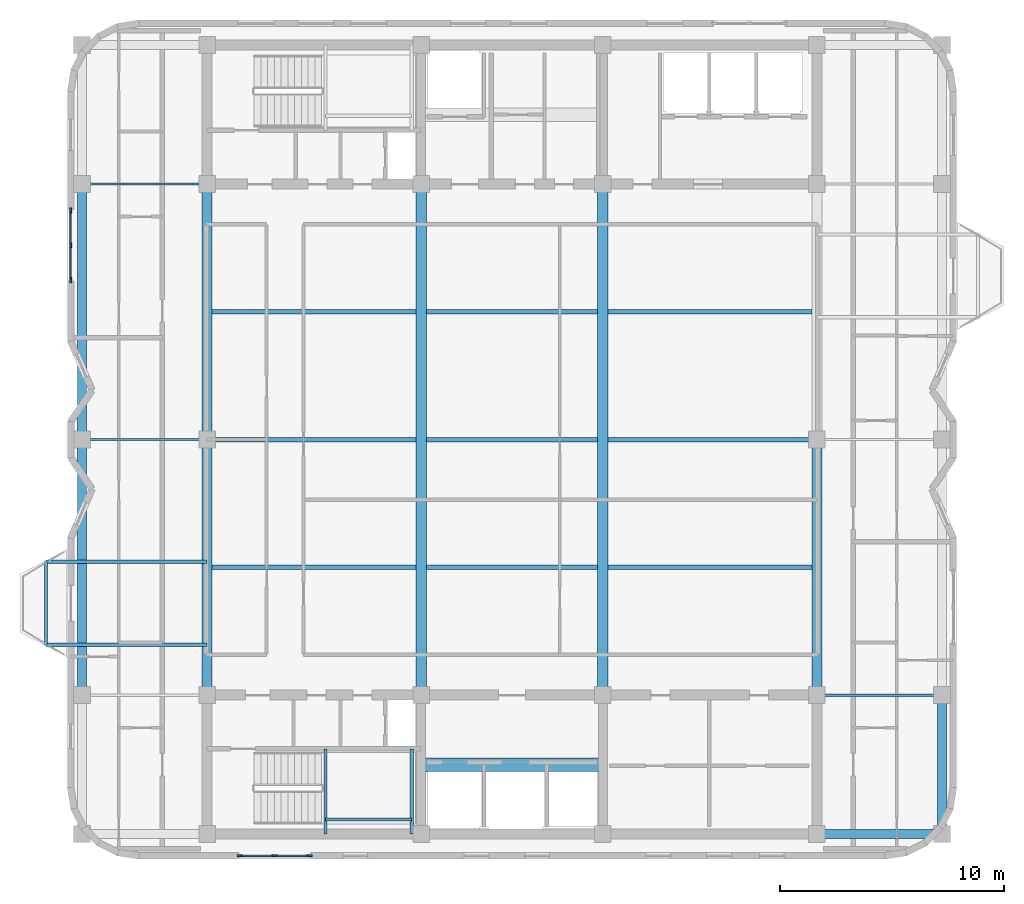
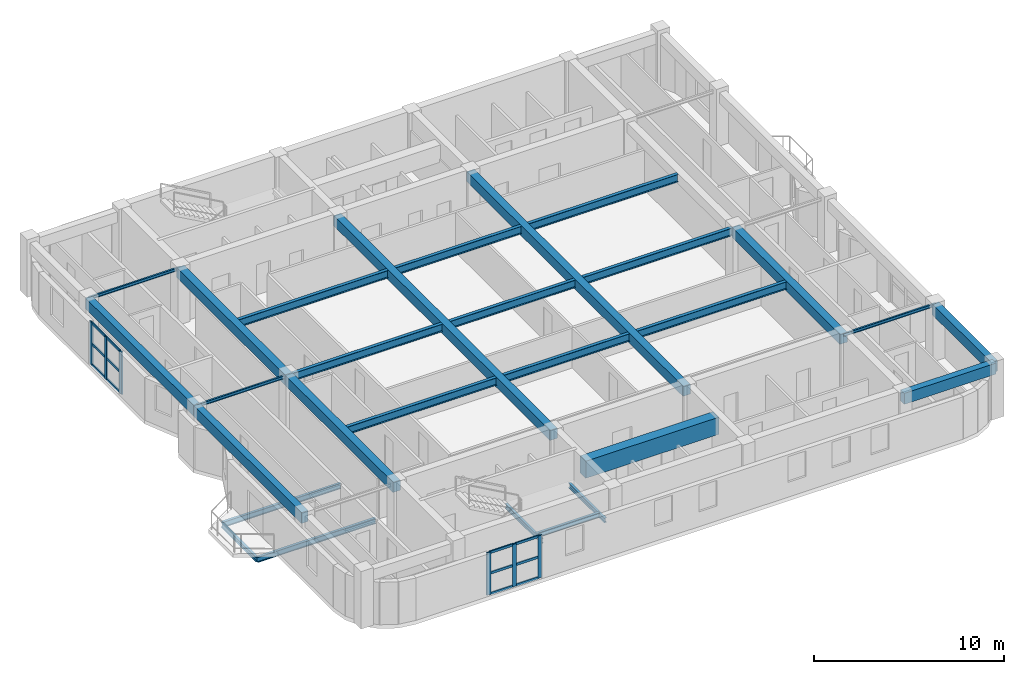
# One storey, part 2 of 11: 28 beams, 18 members, 2 elements without a shape of their own.
"""IFC4 building model written with IfcOpenShell, lengths in metres."""

from ifc_helpers import new_model, si_unit, direction, frame, origin, origin_2d, place, context, subcontext, project, spatial, rectangle, i_section, extrude, material, material_profile, profile_set, type_object, element, aggregate, save


model = new_model("IFC4")

# Units and contexts
model_context = context("Model", 3, precision=1e-05, world=origin(), true_north=direction((0.0, 1.0)))
body_context = subcontext(model_context, "Body", "Model", "MODEL_VIEW")
ifc_project = project(units=[si_unit("LENGTHUNIT", "METRE"), si_unit("AREAUNIT", "SQUARE_METRE"), si_unit("VOLUMEUNIT", "CUBIC_METRE"), si_unit("PLANEANGLEUNIT", "RADIAN"), si_unit("MASSUNIT", "GRAM", prefix="KILO")], contexts=[model_context])

# Site, building, storey
site_placement = place(None, origin())
site = spatial("IfcSite", under=ifc_project, at=site_placement, CompositionType="ELEMENT")
building_placement = place(site_placement, origin())
building = spatial("IfcBuilding", under=site, at=building_placement, Name="Svetorya Sky Lyceum", CompositionType="ELEMENT")
storey_placement = place(building_placement, frame((0.0, 0.0, 289.800048828125)))
storey = spatial("IfcBuildingStorey", under=building, at=storey_placement, Name="L73", CompositionType="ELEMENT", Elevation=289.800048828125)

# Beams
ifc_material_1 = material(Name="Concrete C60/75", Category="concrete")
ifc_material_profile_1 = material_profile(ifc_material_1, rectangle(XDim=0.60009765625, YDim=1.10009765625, at=origin_2d()), Name="RC COUPLING 600x1100")
ifc_profile_set_1 = profile_set([ifc_material_profile_1], Name="Concrete C60/75")
beam_type_1 = type_object("IfcBeamType", Name="BM-CPL-1100", PredefinedType="LINTEL", material=ifc_profile_set_1)
beam_1_placement = place(storey_placement, frame((35.14990234375, 13.699951171875, 2.89990234375), z_axis=(1.0, 0.0, 0.0), x_axis=(0.0, 1.0, 0.0)))
element("IfcBeam", 1, at=beam_1_placement, inside=storey, type_object=beam_type_1, Name="L73 SC Core Coupling Beam", PredefinedType="LINTEL", context=body_context, shape_type="SweptSolid", body=[
    extrude(rectangle(XDim=0.60009765625, YDim=1.10009765625, at=origin_2d()), origin(), (0.0, 0.0, 1.0), 8.10009765625),
])
ifc_material_2 = material(Name="Concrete C40/50", Category="concrete")
ifc_material_profile_2 = material_profile(ifc_material_2, rectangle(XDim=0.449951171875, YDim=0.64990234375, at=origin_2d()), Name="RC BEAM 450x650")
ifc_profile_set_2 = profile_set([ifc_material_profile_2], Name="Concrete C40/50")
beam_type_2 = type_object("IfcBeamType", Name="BM-RC-650", PredefinedType="BEAM", material=ifc_profile_set_2)
beam_2_placement = place(storey_placement, frame((25.60009765625, 16.800048828125, 3.125), z_axis=(0.0, 1.0, 0.0), x_axis=(-1.0, 0.0, 0.0)))
element("IfcBeam", 2, at=beam_2_placement, inside=storey, type_object=beam_type_2, Name="L73 Central Bay Primary Girder CG-1A", PredefinedType="BEAM", context=body_context, shape_type="SweptSolid", body=[
    extrude(rectangle(XDim=0.449951171875, YDim=0.64990234375, at=origin_2d()), origin(), (0.0, 0.0, 1.0), 11.39990234375),
])
beam_3_placement = place(storey_placement, frame((25.60009765625, 28.199951171875, 3.125), z_axis=(0.0, 1.0, 0.0), x_axis=(-1.0, 0.0, 0.0)))
element("IfcBeam", 3, at=beam_3_placement, inside=storey, type_object=beam_type_2, Name="L73 Central Bay Primary Girder CG-1B", PredefinedType="BEAM", context=body_context, shape_type="SweptSolid", body=[
    extrude(rectangle(XDim=0.449951171875, YDim=0.64990234375, at=origin_2d()), origin(), (0.0, 0.0, 1.0), 11.400146484375),
])
for number, where, z_axis, x_axis, name in (
    (4, (35.14990234375, 16.800048828125, 3.125), (0.0, 1.0, 0.0), (-1.0, 0.0, 0.0), "L73 Central Bay Primary Girder CG-2"),
    (5, (43.25, 16.800048828125, 3.125), (0.0, 1.0, 0.0), (-1.0, 0.0, 0.0), "L73 Central Bay Primary Girder CG-3"),
):
    element("IfcBeam", number, at=place(storey_placement, frame(where, z_axis=z_axis, x_axis=x_axis)), inside=storey, type_object=beam_type_2, Name=name, PredefinedType="BEAM", context=body_context, shape_type="SweptSolid", body=[
        extrude(rectangle(XDim=0.449951171875, YDim=0.64990234375, at=origin_2d()), origin(), (0.0, 0.0, 1.0), 22.800048828125),
    ])
beam_4_placement = place(storey_placement, frame((52.800048828125, 16.800048828125, 3.125), z_axis=(0.0, 1.0, 0.0), x_axis=(-1.0, 0.0, 0.0)))
element("IfcBeam", 6, at=beam_4_placement, inside=storey, type_object=beam_type_2, Name="L73 Central Bay Primary Girder CG-4A", PredefinedType="BEAM", context=body_context, shape_type="SweptSolid", body=[
    extrude(rectangle(XDim=0.449951171875, YDim=0.64990234375, at=origin_2d()), origin(), (0.0, 0.0, 1.0), 11.39990234375),
])
ifc_material_3 = material(Name="Concrete C50/60", Category="concrete")
ifc_material_profile_3 = material_profile(ifc_material_3, rectangle(XDim=0.39990234375, YDim=0.699951171875, at=origin_2d()), Name="RC SPANDREL 400x700")
ifc_profile_set_3 = profile_set([ifc_material_profile_3], Name="Concrete C50/60")
beam_type_3 = type_object("IfcBeamType", Name="BM-SPN-700", PredefinedType="SPANDREL", material=ifc_profile_set_3)
beam_5_placement = place(storey_placement, frame((52.800048828125, 10.60009765625, 3.099853515625), z_axis=(1.0, 0.0, 0.0), x_axis=(0.0, 1.0, 0.0)))
element("IfcBeam", 7, at=beam_5_placement, inside=storey, type_object=beam_type_3, Name="L73 Tie Spandrel SE", PredefinedType="SPANDREL", context=body_context, shape_type="SweptSolid", body=[
    extrude(rectangle(XDim=0.39990234375, YDim=0.699951171875, at=origin_2d()), origin(), (0.0, 0.0, 1.0), 5.58984375),
])
beam_6_placement = place(storey_placement, frame((20.010009765625, 16.800048828125, 3.099853515625), z_axis=(0.0, 1.0, 0.0), x_axis=(-1.0, 0.0, 0.0)))
element("IfcBeam", 8, at=beam_6_placement, inside=storey, type_object=beam_type_3, Name="L73 West Spandrel 2", PredefinedType="SPANDREL", context=body_context, shape_type="SweptSolid", body=[
    extrude(rectangle(XDim=0.39990234375, YDim=0.699951171875, at=origin_2d()), origin(), (0.0, 0.0, 1.0), 11.39990234375),
])
beam_7_placement = place(storey_placement, frame((20.010009765625, 28.199951171875, 3.099853515625), z_axis=(0.0, 1.0, 0.0), x_axis=(-1.0, 0.0, 0.0)))
element("IfcBeam", 9, at=beam_7_placement, inside=storey, type_object=beam_type_3, Name="L73 West Spandrel 3", PredefinedType="SPANDREL", context=body_context, shape_type="SweptSolid", body=[
    extrude(rectangle(XDim=0.39990234375, YDim=0.699951171875, at=origin_2d()), origin(), (0.0, 0.0, 1.0), 11.400146484375),
])
beam_8_placement = place(storey_placement, frame((58.389892578125, 10.60009765625, 3.099853515625), z_axis=(0.0, 1.0, 0.0), x_axis=(-1.0, 0.0, 0.0)))
element("IfcBeam", 10, at=beam_8_placement, inside=storey, type_object=beam_type_3, Name="L73 East Spandrel 1", PredefinedType="SPANDREL", context=body_context, shape_type="SweptSolid", body=[
    extrude(rectangle(XDim=0.39990234375, YDim=0.699951171875, at=origin_2d()), origin(), (0.0, 0.0, 1.0), 6.199951171875),
])
ifc_material_4 = material(Name="Steel S355", Category="steel")
ifc_material_profile_4 = material_profile(ifc_material_4, i_section(OverallWidth=0.10009765625, OverallDepth=0.199951171875, WebThickness=0.005615234375, FlangeThickness=0.008544921875, at=origin_2d()), Name="GOST 20B1")
ifc_profile_set_4 = profile_set([ifc_material_profile_4], Name="Steel S355")
beam_type_4 = type_object("IfcBeamType", Name="BM-STL-20B1", PredefinedType="JOIST", material=ifc_profile_set_4)
beam_9_placement = place(storey_placement, frame((52.800048828125, 16.800048828125, 3.349853515625), z_axis=(1.0, 0.0, 0.0), x_axis=(0.0, 1.0, 0.0)))
element("IfcBeam", 11, at=beam_9_placement, inside=storey, type_object=beam_type_4, Name="L73 East Wing Floor Joist E2", PredefinedType="JOIST", context=body_context, shape_type="SweptSolid", body=[
    extrude(i_section(OverallWidth=0.10009765625, OverallDepth=0.199951171875, WebThickness=0.005615234375, FlangeThickness=0.008544921875, at=origin_2d()), origin(), (0.0, 0.0, 1.0), 5.58984375),
])
for number, where, z_axis, x_axis, name in (
    (12, (20.010009765625, 28.199951171875, 3.349853515625), (1.0, 0.0, 0.0), (0.0, 1.0, 0.0), "L73 West Wing Floor Joist W3"),
    (13, (20.010009765625, 39.60009765625, 3.349853515625), (1.0, 0.0, 0.0), (0.0, 1.0, 0.0), "L73 West Wing Floor Joist W4"),
):
    element("IfcBeam", number, at=place(storey_placement, frame(where, z_axis=z_axis, x_axis=x_axis)), inside=storey, type_object=beam_type_4, Name=name, PredefinedType="JOIST", context=body_context, shape_type="SweptSolid", body=[
        extrude(i_section(OverallWidth=0.10009765625, OverallDepth=0.199951171875, WebThickness=0.005615234375, FlangeThickness=0.008544921875, at=origin_2d()), origin(), (0.0, 0.0, 1.0), 5.590087890625),
    ])
ifc_material_profile_5 = material_profile(ifc_material_4, i_section(OverallWidth=0.14990234375, OverallDepth=0.299072265625, WebThickness=0.006591796875, FlangeThickness=0.010498046875, at=origin_2d()), Name="GOST 30B2")
ifc_profile_set_5 = profile_set([ifc_material_profile_5], Name="Steel S355")
beam_type_5 = type_object("IfcBeamType", Name="BM-STL-30B2", PredefinedType="JOIST", material=ifc_profile_set_5)
beam_10_placement = place(storey_placement, frame((18.409912109375, 19.050048828125, -0.424560546875), z_axis=(0.0, 1.0, 0.0), x_axis=(-1.0, 0.0, 0.0)))
element("IfcBeam", 14, at=beam_10_placement, inside=storey, type_object=beam_type_5, Name="L73 Balcony Edge Tie BAL-W1", PredefinedType="JOIST", context=body_context, shape_type="SweptSolid", body=[
    extrude(i_section(OverallWidth=0.14990234375, OverallDepth=0.299072265625, WebThickness=0.006591796875, FlangeThickness=0.010498046875, at=origin_2d()), origin(), (0.0, 0.0, 1.0), 3.699951171875),
])
for number, where, z_axis, x_axis, name in (
    (15, (30.8798828125, 10.60009765625, 1.50048828125), (0.0, 1.0, 0.0), (-1.0, 0.0, 0.0), "L73 Stair ST-S Half-Landing Support Beam 81.1"),
    (16, (34.719970703125, 10.60009765625, 1.50048828125), (0.0, 1.0, 0.0), (-1.0, 0.0, 0.0), "L73 Stair ST-S Half-Landing Support Beam 81.2"),
):
    element("IfcBeam", number, at=place(storey_placement, frame(where, z_axis=z_axis, x_axis=x_axis)), inside=storey, type_object=beam_type_5, Name=name, PredefinedType="JOIST", context=body_context, shape_type="SweptSolid", body=[
        extrude(i_section(OverallWidth=0.14990234375, OverallDepth=0.299072265625, WebThickness=0.006591796875, FlangeThickness=0.010498046875, at=origin_2d()), origin(), (0.0, 0.0, 1.0), 3.7998046875),
    ])
beam_11_placement = place(storey_placement, frame((30.8798828125, 11.25, 1.50048828125), z_axis=(1.0, 0.0, 0.0), x_axis=(0.0, 1.0, 0.0)))
element("IfcBeam", 17, at=beam_11_placement, inside=storey, type_object=beam_type_5, Name="L73 Stair ST-S Half-Landing Cross Tie 81", PredefinedType="JOIST", context=body_context, shape_type="SweptSolid", body=[
    extrude(i_section(OverallWidth=0.14990234375, OverallDepth=0.299072265625, WebThickness=0.006591796875, FlangeThickness=0.010498046875, at=origin_2d()), origin(), (0.0, 0.0, 1.0), 3.840087890625),
])
ifc_material_profile_6 = material_profile(ifc_material_4, i_section(OverallWidth=0.155029296875, OverallDepth=0.34912109375, WebThickness=0.007080078125, FlangeThickness=0.011474609375, at=origin_2d()), Name="GOST 35B2")
ifc_profile_set_6 = profile_set([ifc_material_profile_6], Name="Steel S355")
beam_type_6 = type_object("IfcBeamType", Name="BM-STL-35B2", PredefinedType="JOIST", material=ifc_profile_set_6)
for number, where, z_axis, x_axis, name in (
    (18, (25.60009765625, 19.050048828125, -0.424560546875), (-1.0, 0.0, 0.0), (0.0, -1.0, 0.0), "L73 Balcony Cantilever Beam BAL-W1-1"),
    (19, (25.60009765625, 22.75, -0.424560546875), (-1.0, 0.0, 0.0), (0.0, -1.0, 0.0), "L73 Balcony Cantilever Beam BAL-W1-2"),
):
    element("IfcBeam", number, at=place(storey_placement, frame(where, z_axis=z_axis, x_axis=x_axis)), inside=storey, type_object=beam_type_6, Name=name, PredefinedType="JOIST", context=body_context, shape_type="SweptSolid", body=[
        extrude(i_section(OverallWidth=0.155029296875, OverallDepth=0.34912109375, WebThickness=0.007080078125, FlangeThickness=0.011474609375, at=origin_2d()), origin(), (0.0, 0.0, 1.0), 7.190185546875),
    ])
ifc_material_profile_7 = material_profile(ifc_material_4, i_section(OverallWidth=0.198974609375, OverallDepth=0.498046875, WebThickness=0.010009765625, FlangeThickness=0.01611328125, at=origin_2d()), Name="GOST 50B2")
ifc_profile_set_7 = profile_set([ifc_material_profile_7], Name="Steel S355")
beam_type_7 = type_object("IfcBeamType", Name="BM-STL-50B2", PredefinedType="BEAM", material=ifc_profile_set_7)
beam_12_placement = place(storey_placement, frame((25.824951171875, 22.5, 3.200927734375), z_axis=(1.0, 0.0, 0.0), x_axis=(0.0, 1.0, 0.0)))
element("IfcBeam", 20, at=beam_12_placement, inside=storey, type_object=beam_type_7, Name="L73 Central Floor Joist CJ-1.1", PredefinedType="BEAM", context=body_context, shape_type="SweptSolid", body=[
    extrude(i_section(OverallWidth=0.198974609375, OverallDepth=0.498046875, WebThickness=0.010009765625, FlangeThickness=0.01611328125, at=origin_2d()), origin(), (0.0, 0.0, 1.0), 9.10009765625),
])
beam_13_placement = place(storey_placement, frame((35.375, 22.5, 3.200927734375), z_axis=(1.0, 0.0, 0.0), x_axis=(0.0, 1.0, 0.0)))
element("IfcBeam", 21, at=beam_13_placement, inside=storey, type_object=beam_type_7, Name="L73 Central Floor Joist CJ-1.2", PredefinedType="BEAM", context=body_context, shape_type="SweptSolid", body=[
    extrude(i_section(OverallWidth=0.198974609375, OverallDepth=0.498046875, WebThickness=0.010009765625, FlangeThickness=0.01611328125, at=origin_2d()), origin(), (0.0, 0.0, 1.0), 7.64990234375),
])
beam_14_placement = place(storey_placement, frame((43.47509765625, 22.5, 3.200927734375), z_axis=(1.0, 0.0, 0.0), x_axis=(0.0, 1.0, 0.0)))
element("IfcBeam", 22, at=beam_14_placement, inside=storey, type_object=beam_type_7, Name="L73 Central Floor Joist CJ-1.3", PredefinedType="BEAM", context=body_context, shape_type="SweptSolid", body=[
    extrude(i_section(OverallWidth=0.198974609375, OverallDepth=0.498046875, WebThickness=0.010009765625, FlangeThickness=0.01611328125, at=origin_2d()), origin(), (0.0, 0.0, 1.0), 9.099853515625),
])
beam_15_placement = place(storey_placement, frame((25.824951171875, 28.199951171875, 3.200927734375), z_axis=(1.0, 0.0, 0.0), x_axis=(0.0, 1.0, 0.0)))
element("IfcBeam", 23, at=beam_15_placement, inside=storey, type_object=beam_type_7, Name="L73 Central Floor Joist CJ-2.1", PredefinedType="BEAM", context=body_context, shape_type="SweptSolid", body=[
    extrude(i_section(OverallWidth=0.198974609375, OverallDepth=0.498046875, WebThickness=0.010009765625, FlangeThickness=0.01611328125, at=origin_2d()), origin(), (0.0, 0.0, 1.0), 9.10009765625),
])
beam_16_placement = place(storey_placement, frame((35.375, 28.199951171875, 3.200927734375), z_axis=(1.0, 0.0, 0.0), x_axis=(0.0, 1.0, 0.0)))
element("IfcBeam", 24, at=beam_16_placement, inside=storey, type_object=beam_type_7, Name="L73 Central Floor Joist CJ-2.2", PredefinedType="BEAM", context=body_context, shape_type="SweptSolid", body=[
    extrude(i_section(OverallWidth=0.198974609375, OverallDepth=0.498046875, WebThickness=0.010009765625, FlangeThickness=0.01611328125, at=origin_2d()), origin(), (0.0, 0.0, 1.0), 7.64990234375),
])
beam_17_placement = place(storey_placement, frame((43.47509765625, 28.199951171875, 3.200927734375), z_axis=(1.0, 0.0, 0.0), x_axis=(0.0, 1.0, 0.0)))
element("IfcBeam", 25, at=beam_17_placement, inside=storey, type_object=beam_type_7, Name="L73 Central Floor Joist CJ-2.3", PredefinedType="BEAM", context=body_context, shape_type="SweptSolid", body=[
    extrude(i_section(OverallWidth=0.198974609375, OverallDepth=0.498046875, WebThickness=0.010009765625, FlangeThickness=0.01611328125, at=origin_2d()), origin(), (0.0, 0.0, 1.0), 9.099853515625),
])
beam_18_placement = place(storey_placement, frame((25.824951171875, 33.89990234375, 3.200927734375), z_axis=(1.0, 0.0, 0.0), x_axis=(0.0, 1.0, 0.0)))
element("IfcBeam", 26, at=beam_18_placement, inside=storey, type_object=beam_type_7, Name="L73 Central Floor Joist CJ-3.1", PredefinedType="BEAM", context=body_context, shape_type="SweptSolid", body=[
    extrude(i_section(OverallWidth=0.198974609375, OverallDepth=0.498046875, WebThickness=0.010009765625, FlangeThickness=0.01611328125, at=origin_2d()), origin(), (0.0, 0.0, 1.0), 9.10009765625),
])
beam_19_placement = place(storey_placement, frame((35.375, 33.89990234375, 3.200927734375), z_axis=(1.0, 0.0, 0.0), x_axis=(0.0, 1.0, 0.0)))
element("IfcBeam", 27, at=beam_19_placement, inside=storey, type_object=beam_type_7, Name="L73 Central Floor Joist CJ-3.2", PredefinedType="BEAM", context=body_context, shape_type="SweptSolid", body=[
    extrude(i_section(OverallWidth=0.198974609375, OverallDepth=0.498046875, WebThickness=0.010009765625, FlangeThickness=0.01611328125, at=origin_2d()), origin(), (0.0, 0.0, 1.0), 7.64990234375),
])
beam_20_placement = place(storey_placement, frame((43.47509765625, 33.89990234375, 3.200927734375), z_axis=(1.0, 0.0, 0.0), x_axis=(0.0, 1.0, 0.0)))
element("IfcBeam", 28, at=beam_20_placement, inside=storey, type_object=beam_type_7, Name="L73 Central Floor Joist CJ-3.3", PredefinedType="BEAM", context=body_context, shape_type="SweptSolid", body=[
    extrude(i_section(OverallWidth=0.198974609375, OverallDepth=0.498046875, WebThickness=0.010009765625, FlangeThickness=0.01611328125, at=origin_2d()), origin(), (0.0, 0.0, 1.0), 9.099853515625),
])

# Curtain wall, members
ifc_material_5 = material(Name="Thermally broken anodized aluminium and triple low-E glass", Category="aluminium")
curtain_wall_type = type_object("IfcCurtainWallType", Name="CW6-CRN-OBS", PredefinedType="NOTDEFINED", material=ifc_material_5)
curtain_wall_1_placement = place(storey_placement, origin())
curtain_wall_1 = element("IfcCurtainWall", 29, at=curtain_wall_1_placement, inside=storey, type_object=curtain_wall_type, Name="L73 Observatory Curtain Wall 6", PredefinedType="NOTDEFINED")
ifc_material_6 = material(Name="Thermally broken anodized aluminium EN AW-6060", Category="aluminium")
ifc_material_profile_8 = material_profile(ifc_material_6, rectangle(XDim=0.0849609375, YDim=0.239990234375, at=origin_2d()), Name="ALU MULLION 85x240")
ifc_profile_set_8 = profile_set([ifc_material_profile_8], Name="Thermally broken anodized aluminium EN AW-6060")
member_type_1 = type_object("IfcMemberType", Name="CWM-MUL-240", PredefinedType="MULLION", material=ifc_profile_set_8)
member_1_placement = place(storey_placement, frame((27.052490234375, 9.6298828125, 0.0), z_axis=(0.0, 0.0, 1.0), x_axis=(0.0, 1.0, 0.0)))
member_1 = element("IfcMember", 30, at=member_1_placement, type_object=member_type_1, Name="CW-6 mullion 1", PredefinedType="MULLION", context=body_context, shape_type="SweptSolid", body=[
    extrude(rectangle(XDim=0.0849609375, YDim=0.239990234375, at=origin_2d()), origin(), (0.0, 0.0, 1.0), 2.72998046875),
])
member_2_placement = place(storey_placement, frame((28.610107421875, 9.6298828125, 0.0), z_axis=(0.0, 0.0, 1.0), x_axis=(0.0, 1.0, 0.0)))
member_2 = element("IfcMember", 31, at=member_2_placement, type_object=member_type_1, Name="CW-6 mullion 2", PredefinedType="MULLION", context=body_context, shape_type="SweptSolid", body=[
    extrude(rectangle(XDim=0.0849609375, YDim=0.239990234375, at=origin_2d()), origin(), (0.0, 0.0, 1.0), 2.72998046875),
])
member_3_placement = place(storey_placement, frame((30.16748046875, 9.6298828125, 0.0), z_axis=(0.0, 0.0, 1.0), x_axis=(0.0, 1.0, 0.0)))
member_3 = element("IfcMember", 32, at=member_3_placement, type_object=member_type_1, Name="CW-6 mullion 3", PredefinedType="MULLION", context=body_context, shape_type="SweptSolid", body=[
    extrude(rectangle(XDim=0.0849609375, YDim=0.239990234375, at=origin_2d()), origin(), (0.0, 0.0, 1.0), 2.72998046875),
])

curtain_wall_2_placement = place(storey_placement, origin())
curtain_wall_2 = element("IfcCurtainWall", 33, at=curtain_wall_2_placement, inside=storey, type_object=curtain_wall_type, Name="L73 Observatory Curtain Wall 30", PredefinedType="NOTDEFINED")
member_4_placement = place(storey_placement, frame((19.510009765625, 38.427490234375, 0.0), z_axis=(0.0, 0.0, 1.0), x_axis=(1.0, 0.0, 0.0)))
member_4 = element("IfcMember", 34, at=member_4_placement, type_object=member_type_1, Name="CW-6 mullion 1", PredefinedType="MULLION", context=body_context, shape_type="SweptSolid", body=[
    extrude(rectangle(XDim=0.0849609375, YDim=0.239990234375, at=origin_2d()), origin(), (0.0, 0.0, 1.0), 2.72998046875),
])
member_5_placement = place(storey_placement, frame((19.510009765625, 36.8701171875, 0.0), z_axis=(0.0, 0.0, 1.0), x_axis=(1.0, 0.0, 0.0)))
member_5 = element("IfcMember", 35, at=member_5_placement, type_object=member_type_1, Name="CW-6 mullion 2", PredefinedType="MULLION", context=body_context, shape_type="SweptSolid", body=[
    extrude(rectangle(XDim=0.0849609375, YDim=0.239990234375, at=origin_2d()), origin(), (0.0, 0.0, 1.0), 2.72998046875),
])
member_6_placement = place(storey_placement, frame((19.510009765625, 35.3125, 0.0), z_axis=(0.0, 0.0, 1.0), x_axis=(1.0, 0.0, 0.0)))
member_6 = element("IfcMember", 36, at=member_6_placement, type_object=member_type_1, Name="CW-6 mullion 3", PredefinedType="MULLION", context=body_context, shape_type="SweptSolid", body=[
    extrude(rectangle(XDim=0.0849609375, YDim=0.239990234375, at=origin_2d()), origin(), (0.0, 0.0, 1.0), 2.72998046875),
])

# Member
ifc_material_profile_9 = material_profile(ifc_material_6, rectangle(XDim=0.074951171875, YDim=0.159912109375, at=origin_2d()), Name="ALU TRANSOM 75x160")
ifc_profile_set_9 = profile_set([ifc_material_profile_9], Name="Thermally broken anodized aluminium EN AW-6060")
member_type_2 = type_object("IfcMemberType", Name="CWM-TRN-160", PredefinedType="USERDEFINED", material=ifc_profile_set_9)
member_7_placement = place(storey_placement, frame((27.093505859375, 9.6298828125, 0.037353515625), z_axis=(1.0, 0.0, 0.0), x_axis=(0.0, 1.0, 0.0)))
member_7 = element("IfcMember", 37, at=member_7_placement, type_object=member_type_2, Name="CW-6 transom 1.1", ObjectType="TRANSOM", PredefinedType="USERDEFINED", context=body_context, shape_type="SweptSolid", body=[
    extrude(rectangle(XDim=0.074951171875, YDim=0.159912109375, at=origin_2d()), origin(), (0.0, 0.0, 1.0), 1.4755859375),
])

member_8_placement = place(storey_placement, frame((27.093505859375, 9.6298828125, 1.364990234375), z_axis=(1.0, 0.0, 0.0), x_axis=(0.0, 1.0, 0.0)))
member_8 = element("IfcMember", 38, at=member_8_placement, type_object=member_type_2, Name="CW-6 transom 1.2", ObjectType="TRANSOM", PredefinedType="USERDEFINED", context=body_context, shape_type="SweptSolid", body=[
    extrude(rectangle(XDim=0.074951171875, YDim=0.159912109375, at=origin_2d()), origin(), (0.0, 0.0, 1.0), 1.4755859375),
])

member_9_placement = place(storey_placement, frame((27.093505859375, 9.6298828125, 2.6923828125), z_axis=(1.0, 0.0, 0.0), x_axis=(0.0, 1.0, 0.0)))
member_9 = element("IfcMember", 39, at=member_9_placement, type_object=member_type_2, Name="CW-6 transom 1.3", ObjectType="TRANSOM", PredefinedType="USERDEFINED", context=body_context, shape_type="SweptSolid", body=[
    extrude(rectangle(XDim=0.074951171875, YDim=0.159912109375, at=origin_2d()), origin(), (0.0, 0.0, 1.0), 1.4755859375),
])

member_10_placement = place(storey_placement, frame((28.65087890625, 9.6298828125, 0.037353515625), z_axis=(1.0, 0.0, 0.0), x_axis=(0.0, 1.0, 0.0)))
member_10 = element("IfcMember", 40, at=member_10_placement, type_object=member_type_2, Name="CW-6 transom 2.1", ObjectType="TRANSOM", PredefinedType="USERDEFINED", context=body_context, shape_type="SweptSolid", body=[
    extrude(rectangle(XDim=0.074951171875, YDim=0.159912109375, at=origin_2d()), origin(), (0.0, 0.0, 1.0), 1.4755859375),
])

member_11_placement = place(storey_placement, frame((28.65087890625, 9.6298828125, 1.364990234375), z_axis=(1.0, 0.0, 0.0), x_axis=(0.0, 1.0, 0.0)))
member_11 = element("IfcMember", 41, at=member_11_placement, type_object=member_type_2, Name="CW-6 transom 2.2", ObjectType="TRANSOM", PredefinedType="USERDEFINED", context=body_context, shape_type="SweptSolid", body=[
    extrude(rectangle(XDim=0.074951171875, YDim=0.159912109375, at=origin_2d()), origin(), (0.0, 0.0, 1.0), 1.4755859375),
])

member_12_placement = place(storey_placement, frame((28.65087890625, 9.6298828125, 2.6923828125), z_axis=(1.0, 0.0, 0.0), x_axis=(0.0, 1.0, 0.0)))
member_12 = element("IfcMember", 42, at=member_12_placement, type_object=member_type_2, Name="CW-6 transom 2.3", ObjectType="TRANSOM", PredefinedType="USERDEFINED", context=body_context, shape_type="SweptSolid", body=[
    extrude(rectangle(XDim=0.074951171875, YDim=0.159912109375, at=origin_2d()), origin(), (0.0, 0.0, 1.0), 1.4755859375),
])

aggregate(curtain_wall_1, [member_1, member_2, member_3, member_7, member_8, member_9, member_10, member_11, member_12])

member_13_placement = place(storey_placement, frame((19.510009765625, 38.386474609375, 0.037353515625), z_axis=(0.0, -1.0, 0.0), x_axis=(1.0, 0.0, 0.0)))
member_13 = element("IfcMember", 43, at=member_13_placement, type_object=member_type_2, Name="CW-6 transom 1.1", ObjectType="TRANSOM", PredefinedType="USERDEFINED", context=body_context, shape_type="SweptSolid", body=[
    extrude(rectangle(XDim=0.074951171875, YDim=0.159912109375, at=origin_2d()), origin(), (0.0, 0.0, 1.0), 1.4755859375),
])

member_14_placement = place(storey_placement, frame((19.510009765625, 38.386474609375, 1.364990234375), z_axis=(0.0, -1.0, 0.0), x_axis=(1.0, 0.0, 0.0)))
member_14 = element("IfcMember", 44, at=member_14_placement, type_object=member_type_2, Name="CW-6 transom 1.2", ObjectType="TRANSOM", PredefinedType="USERDEFINED", context=body_context, shape_type="SweptSolid", body=[
    extrude(rectangle(XDim=0.074951171875, YDim=0.159912109375, at=origin_2d()), origin(), (0.0, 0.0, 1.0), 1.4755859375),
])

member_15_placement = place(storey_placement, frame((19.510009765625, 38.386474609375, 2.6923828125), z_axis=(0.0, -1.0, 0.0), x_axis=(1.0, 0.0, 0.0)))
member_15 = element("IfcMember", 45, at=member_15_placement, type_object=member_type_2, Name="CW-6 transom 1.3", ObjectType="TRANSOM", PredefinedType="USERDEFINED", context=body_context, shape_type="SweptSolid", body=[
    extrude(rectangle(XDim=0.074951171875, YDim=0.159912109375, at=origin_2d()), origin(), (0.0, 0.0, 1.0), 1.4755859375),
])

member_16_placement = place(storey_placement, frame((19.510009765625, 36.8291015625, 0.037353515625), z_axis=(0.0, -1.0, 0.0), x_axis=(1.0, 0.0, 0.0)))
member_16 = element("IfcMember", 46, at=member_16_placement, type_object=member_type_2, Name="CW-6 transom 2.1", ObjectType="TRANSOM", PredefinedType="USERDEFINED", context=body_context, shape_type="SweptSolid", body=[
    extrude(rectangle(XDim=0.074951171875, YDim=0.159912109375, at=origin_2d()), origin(), (0.0, 0.0, 1.0), 1.4755859375),
])

member_17_placement = place(storey_placement, frame((19.510009765625, 36.8291015625, 1.364990234375), z_axis=(0.0, -1.0, 0.0), x_axis=(1.0, 0.0, 0.0)))
member_17 = element("IfcMember", 47, at=member_17_placement, type_object=member_type_2, Name="CW-6 transom 2.2", ObjectType="TRANSOM", PredefinedType="USERDEFINED", context=body_context, shape_type="SweptSolid", body=[
    extrude(rectangle(XDim=0.074951171875, YDim=0.159912109375, at=origin_2d()), origin(), (0.0, 0.0, 1.0), 1.4755859375),
])

member_18_placement = place(storey_placement, frame((19.510009765625, 36.8291015625, 2.6923828125), z_axis=(0.0, -1.0, 0.0), x_axis=(1.0, 0.0, 0.0)))
member_18 = element("IfcMember", 48, at=member_18_placement, type_object=member_type_2, Name="CW-6 transom 2.3", ObjectType="TRANSOM", PredefinedType="USERDEFINED", context=body_context, shape_type="SweptSolid", body=[
    extrude(rectangle(XDim=0.074951171875, YDim=0.159912109375, at=origin_2d()), origin(), (0.0, 0.0, 1.0), 1.4755859375),
])

aggregate(curtain_wall_2, [member_4, member_5, member_6, member_13, member_14, member_15, member_16, member_17, member_18])

save(model, "model.ifc")
